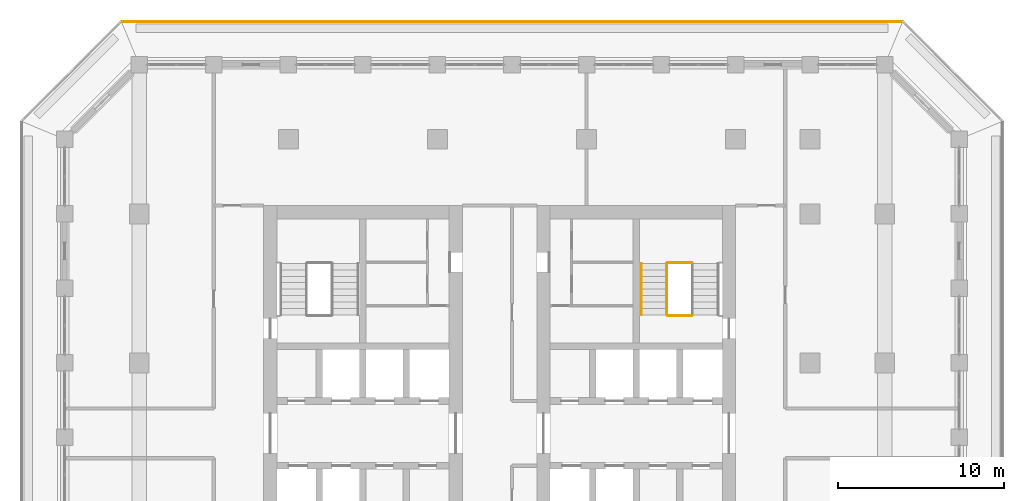
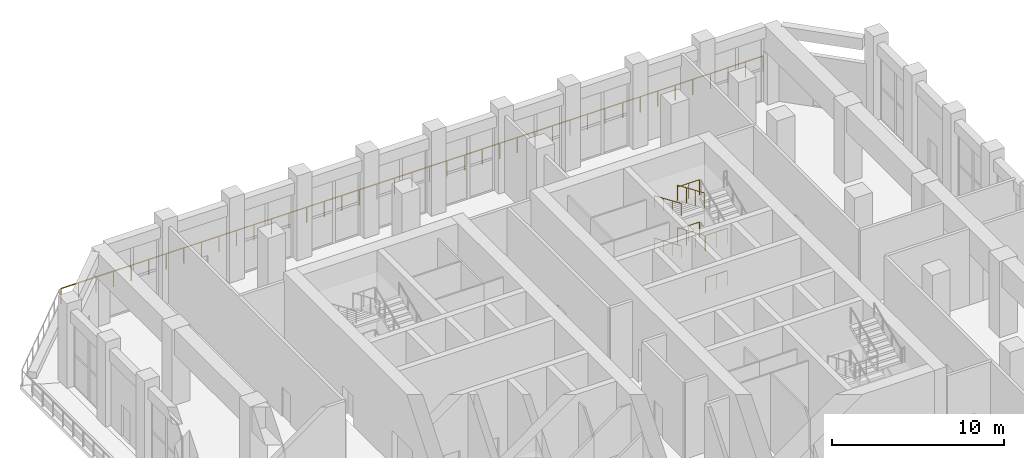
# One storey, part 23 of 25: 9 railings.
"""IFC4 building model written with IfcOpenShell, lengths in metres."""

from ifc_helpers import new_model, si_unit, direction, frame, origin, origin_2d, place, context, subcontext, project, spatial, circle, extrude, material, type_object, element, save


model = new_model("IFC4")

# Units and contexts
model_context = context("Model", 3, precision=1e-05, world=origin(), true_north=direction((0.0, 1.0)))
body_context = subcontext(model_context, "Body", "Model", "MODEL_VIEW")
ifc_project = project(units=[si_unit("LENGTHUNIT", "METRE"), si_unit("AREAUNIT", "SQUARE_METRE"), si_unit("VOLUMEUNIT", "CUBIC_METRE"), si_unit("PLANEANGLEUNIT", "RADIAN"), si_unit("MASSUNIT", "GRAM", prefix="KILO")], contexts=[model_context])

# Site, building, storey
site_placement = place(None, origin())
site = spatial("IfcSite", under=ifc_project, at=site_placement, CompositionType="ELEMENT")
building_placement = place(site_placement, origin())
building = spatial("IfcBuilding", under=site, at=building_placement, Name="Corbel Stack Research Tower", CompositionType="ELEMENT")
storey_placement = place(building_placement, frame((0.0, 0.0, 220.199951171875)))
storey = spatial("IfcBuildingStorey", under=building, at=storey_placement, Name="L50", CompositionType="ELEMENT", Elevation=220.199951171875)

# Railings
ifc_material_1 = material(Name="Steel S355", Category="steel")
railing_type_1 = type_object("IfcRailingType", Name="Stair guard 1100", PredefinedType="GUARDRAIL", material=ifc_material_1)
railing_1_placement = place(storey_placement, frame((15.35009765625, 15.053955078125, 1.5)))
element("IfcRailing", 1, at=railing_1_placement, inside=storey, type_object=railing_type_1, Name="L50 ST-E2 stair guard 2", PredefinedType="GUARDRAIL", context=body_context, shape_type="SweptSolid", body=[
    extrude(circle(Radius=0.02392578125, at=origin_2d()), frame((0.0, 0.0, 1.076171875), z_axis=(-1.0, 0.0, 0.0), x_axis=(0.0, -1.0, 0.0)), (0.0, 0.0, 1.0), 1.4501953125),
    extrude(circle(Radius=0.02099609375, at=origin_2d()), origin(), (0.0, 0.0, 1.0), 1.052001953125),
    extrude(circle(Radius=0.02099609375, at=origin_2d()), frame((-0.72509765625, 0.0, 0.0)), (0.0, 0.0, 1.0), 1.052001953125),
    extrude(circle(Radius=0.02099609375, at=origin_2d()), frame((-1.4501953125, 0.0, 0.0)), (0.0, 0.0, 1.0), 1.052001953125),
])
railing_2_placement = place(storey_placement, frame((13.85009765625, 15.00390625, 1.666748046875)))
element("IfcRailing", 2, at=railing_2_placement, inside=storey, type_object=railing_type_1, Name="L50 ST-E2 stair guard 4", PredefinedType="GUARDRAIL", context=body_context, shape_type="SweptSolid", body=[
    extrude(circle(Radius=0.02392578125, at=origin_2d()), frame((0.0, 0.0, 1.076171875), z_axis=(0.0, -0.918826996994, 0.394660549834), x_axis=(1.0, 0.0, 0.0)), (0.0, 0.0, 1.0), 3.378173828125),
    extrude(circle(Radius=0.02099609375, at=origin_2d()), origin(), (0.0, 0.0, 1.0), 1.052001953125),
    extrude(circle(Radius=0.02099609375, at=origin_2d()), frame((0.0, -1.03466796875, 0.4443359375)), (0.0, 0.0, 1.0), 1.052001953125),
    extrude(circle(Radius=0.02099609375, at=origin_2d()), frame((0.0, -2.0693359375, 0.888916015625)), (0.0, 0.0, 1.0), 1.052001953125),
    extrude(circle(Radius=0.02099609375, at=origin_2d()), frame((0.0, -3.10400390625, 1.333251953125)), (0.0, 0.0, 1.0), 1.052001953125),
])
for number, where, name in (
    (3, (15.35009765625, 11.85009765625, 3.0), "L50 ST-E2 stair guard 5"),
    (4, (15.35009765625, 15.053955078125, 4.5), "L50 ST-E2 stair guard 8"),
):
    element("IfcRailing", number, at=place(storey_placement, frame(where)), inside=storey, type_object=railing_type_1, Name=name, PredefinedType="GUARDRAIL", context=body_context, shape_type="SweptSolid", body=[
        extrude(circle(Radius=0.02392578125, at=origin_2d()), frame((0.0, 0.0, 1.076171875), z_axis=(-1.0, 0.0, 0.0), x_axis=(0.0, -1.0, 0.0)), (0.0, 0.0, 1.0), 1.4501953125),
        extrude(circle(Radius=0.02099609375, at=origin_2d()), origin(), (0.0, 0.0, 1.0), 1.052001953125),
        extrude(circle(Radius=0.02099609375, at=origin_2d()), frame((-0.72509765625, 0.0, 0.0)), (0.0, 0.0, 1.0), 1.052001953125),
        extrude(circle(Radius=0.02099609375, at=origin_2d()), frame((-1.4501953125, 0.0, 0.0)), (0.0, 0.0, 1.0), 1.052001953125),
    ])
railing_3_placement = place(storey_placement, frame((13.85009765625, 15.00390625, 4.666748046875)))
element("IfcRailing", 5, at=railing_3_placement, inside=storey, type_object=railing_type_1, Name="L50 ST-E2 stair guard 10", PredefinedType="GUARDRAIL", context=body_context, shape_type="SweptSolid", body=[
    extrude(circle(Radius=0.02392578125, at=origin_2d()), frame((0.0, 0.0, 1.076171875), z_axis=(0.0, -0.918826996994, 0.394660549834), x_axis=(1.0, 0.0, 0.0)), (0.0, 0.0, 1.0), 3.378173828125),
    extrude(circle(Radius=0.02099609375, at=origin_2d()), origin(), (0.0, 0.0, 1.0), 1.052001953125),
    extrude(circle(Radius=0.02099609375, at=origin_2d()), frame((0.0, -1.03466796875, 0.4443359375)), (0.0, 0.0, 1.0), 1.052001953125),
    extrude(circle(Radius=0.02099609375, at=origin_2d()), frame((0.0, -2.0693359375, 0.888916015625)), (0.0, 0.0, 1.0), 1.052001953125),
    extrude(circle(Radius=0.02099609375, at=origin_2d()), frame((0.0, -3.10400390625, 1.333251953125)), (0.0, 0.0, 1.0), 1.052001953125),
])
railing_4_placement = place(storey_placement, frame((15.35009765625, 11.85009765625, 0.0)))
element("IfcRailing", 6, at=railing_4_placement, inside=storey, type_object=railing_type_1, Name="L50 ST-E2 stair guard 11", PredefinedType="GUARDRAIL", context=body_context, shape_type="SweptSolid", body=[
    extrude(circle(Radius=0.02392578125, at=origin_2d()), frame((0.0, 0.0, 1.076171875), z_axis=(-1.0, 0.0, 0.0), x_axis=(0.0, -1.0, 0.0)), (0.0, 0.0, 1.0), 1.4501953125),
    extrude(circle(Radius=0.02099609375, at=origin_2d()), origin(), (0.0, 0.0, 1.0), 1.052001953125),
    extrude(circle(Radius=0.02099609375, at=origin_2d()), frame((-0.72509765625, 0.0, 0.0)), (0.0, 0.0, 1.0), 1.052001953125),
    extrude(circle(Radius=0.02099609375, at=origin_2d()), frame((-1.4501953125, 0.0, 0.0)), (0.0, 0.0, 1.0), 1.052001953125),
])
ifc_material_2 = material(Name="Steel S355", Category="steel")
railing_type_2 = type_object("IfcRailingType", Name="Stair handrail 900", PredefinedType="HANDRAIL", material=ifc_material_2)
for number, where, name in (
    (7, (12.300048828125, 15.00390625, 1.666748046875), "L50 ST-E2 stair handrail 2"),
    (8, (12.300048828125, 15.00390625, 4.666748046875), "L50 ST-E2 stair handrail 4"),
):
    element("IfcRailing", number, at=place(storey_placement, frame(where)), inside=storey, type_object=railing_type_2, Name=name, PredefinedType="HANDRAIL", context=body_context, shape_type="SweptSolid", body=[
        extrude(circle(Radius=0.02392578125, at=origin_2d()), frame((0.0, 0.0, 0.8759765625), z_axis=(0.0, -0.918826996994, 0.394660549834), x_axis=(1.0, 0.0, 0.0)), (0.0, 0.0, 1.0), 3.378173828125),
        extrude(circle(Radius=0.02099609375, at=origin_2d()), origin(), (0.0, 0.0, 1.0), 0.851806640625),
        extrude(circle(Radius=0.02099609375, at=origin_2d()), frame((0.0, -1.03466796875, 0.4443359375)), (0.0, 0.0, 1.0), 0.851806640625),
        extrude(circle(Radius=0.02099609375, at=origin_2d()), frame((0.0, -2.0693359375, 0.888916015625)), (0.0, 0.0, 1.0), 0.851806640625),
        extrude(circle(Radius=0.02099609375, at=origin_2d()), frame((0.0, -3.10400390625, 1.333251953125)), (0.0, 0.0, 1.0), 0.851806640625),
    ])
ifc_material_3 = material(Name="Powder-coated steel guard", Category="steel")
railing_type_3 = type_object("IfcRailingType", Name="Steel and glass guard 1100", PredefinedType="GUARDRAIL", material=ifc_material_3)
railing_5_placement = place(storey_placement, frame((28.00537109375, 29.60009765625, 0.0)))
element("IfcRailing", 9, at=railing_5_placement, inside=storey, type_object=railing_type_3, Name="Loggia guard L50 N", PredefinedType="GUARDRAIL", context=body_context, shape_type="SweptSolid", body=[
    extrude(circle(Radius=0.02392578125, at=origin_2d()), frame((0.0, 0.0, 1.076171875), z_axis=(-1.0, 0.0, 0.0), x_axis=(0.0, -1.0, 0.0)), (0.0, 0.0, 1.0), 47.0107421875),
    extrude(circle(Radius=0.02099609375, at=origin_2d()), origin(), (0.0, 0.0, 1.0), 1.052001953125),
    extrude(circle(Radius=0.02099609375, at=origin_2d()), frame((-1.17529296875, 0.0, 0.0)), (0.0, 0.0, 1.0), 1.052001953125),
    extrude(circle(Radius=0.02099609375, at=origin_2d()), frame((-2.3505859375, 0.0, 0.0)), (0.0, 0.0, 1.0), 1.052001953125),
    extrude(circle(Radius=0.02099609375, at=origin_2d()), frame((-3.52587890625, 0.0, 0.0)), (0.0, 0.0, 1.0), 1.052001953125),
    extrude(circle(Radius=0.02099609375, at=origin_2d()), frame((-4.701171875, 0.0, 0.0)), (0.0, 0.0, 1.0), 1.052001953125),
    extrude(circle(Radius=0.02099609375, at=origin_2d()), frame((-5.87646484375, 0.0, 0.0)), (0.0, 0.0, 1.0), 1.052001953125),
    extrude(circle(Radius=0.02099609375, at=origin_2d()), frame((-7.051513671875, 0.0, 0.0)), (0.0, 0.0, 1.0), 1.052001953125),
    extrude(circle(Radius=0.02099609375, at=origin_2d()), frame((-8.226806640625, 0.0, 0.0)), (0.0, 0.0, 1.0), 1.052001953125),
    extrude(circle(Radius=0.02099609375, at=origin_2d()), frame((-9.402099609375, 0.0, 0.0)), (0.0, 0.0, 1.0), 1.052001953125),
    extrude(circle(Radius=0.02099609375, at=origin_2d()), frame((-10.577392578125, 0.0, 0.0)), (0.0, 0.0, 1.0), 1.052001953125),
    extrude(circle(Radius=0.02099609375, at=origin_2d()), frame((-11.752685546875, 0.0, 0.0)), (0.0, 0.0, 1.0), 1.052001953125),
    extrude(circle(Radius=0.02099609375, at=origin_2d()), frame((-12.927978515625, 0.0, 0.0)), (0.0, 0.0, 1.0), 1.052001953125),
    extrude(circle(Radius=0.02099609375, at=origin_2d()), frame((-14.103271484375, 0.0, 0.0)), (0.0, 0.0, 1.0), 1.052001953125),
    extrude(circle(Radius=0.02099609375, at=origin_2d()), frame((-15.278564453125, 0.0, 0.0)), (0.0, 0.0, 1.0), 1.052001953125),
    extrude(circle(Radius=0.02099609375, at=origin_2d()), frame((-16.453857421875, 0.0, 0.0)), (0.0, 0.0, 1.0), 1.052001953125),
    extrude(circle(Radius=0.02099609375, at=origin_2d()), frame((-17.62890625, 0.0, 0.0)), (0.0, 0.0, 1.0), 1.052001953125),
    extrude(circle(Radius=0.02099609375, at=origin_2d()), frame((-18.80419921875, 0.0, 0.0)), (0.0, 0.0, 1.0), 1.052001953125),
    extrude(circle(Radius=0.02099609375, at=origin_2d()), frame((-19.9794921875, 0.0, 0.0)), (0.0, 0.0, 1.0), 1.052001953125),
    extrude(circle(Radius=0.02099609375, at=origin_2d()), frame((-21.15478515625, 0.0, 0.0)), (0.0, 0.0, 1.0), 1.052001953125),
    extrude(circle(Radius=0.02099609375, at=origin_2d()), frame((-22.330078125, 0.0, 0.0)), (0.0, 0.0, 1.0), 1.052001953125),
    extrude(circle(Radius=0.02099609375, at=origin_2d()), frame((-23.50537109375, 0.0, 0.0)), (0.0, 0.0, 1.0), 1.052001953125),
    extrude(circle(Radius=0.02099609375, at=origin_2d()), frame((-24.6806640625, 0.0, 0.0)), (0.0, 0.0, 1.0), 1.052001953125),
    extrude(circle(Radius=0.02099609375, at=origin_2d()), frame((-25.85595703125, 0.0, 0.0)), (0.0, 0.0, 1.0), 1.052001953125),
    extrude(circle(Radius=0.02099609375, at=origin_2d()), frame((-27.03125, 0.0, 0.0)), (0.0, 0.0, 1.0), 1.052001953125),
    extrude(circle(Radius=0.02099609375, at=origin_2d()), frame((-28.20654296875, 0.0, 0.0)), (0.0, 0.0, 1.0), 1.052001953125),
    extrude(circle(Radius=0.02099609375, at=origin_2d()), frame((-29.3818359375, 0.0, 0.0)), (0.0, 0.0, 1.0), 1.052001953125),
    extrude(circle(Radius=0.02099609375, at=origin_2d()), frame((-30.556884765625, 0.0, 0.0)), (0.0, 0.0, 1.0), 1.052001953125),
    extrude(circle(Radius=0.02099609375, at=origin_2d()), frame((-31.732177734375, 0.0, 0.0)), (0.0, 0.0, 1.0), 1.052001953125),
    extrude(circle(Radius=0.02099609375, at=origin_2d()), frame((-32.907470703125, 0.0, 0.0)), (0.0, 0.0, 1.0), 1.052001953125),
    extrude(circle(Radius=0.02099609375, at=origin_2d()), frame((-34.082763671875, 0.0, 0.0)), (0.0, 0.0, 1.0), 1.052001953125),
    extrude(circle(Radius=0.02099609375, at=origin_2d()), frame((-35.258056640625, 0.0, 0.0)), (0.0, 0.0, 1.0), 1.052001953125),
    extrude(circle(Radius=0.02099609375, at=origin_2d()), frame((-36.433349609375, 0.0, 0.0)), (0.0, 0.0, 1.0), 1.052001953125),
    extrude(circle(Radius=0.02099609375, at=origin_2d()), frame((-37.608642578125, 0.0, 0.0)), (0.0, 0.0, 1.0), 1.052001953125),
    extrude(circle(Radius=0.02099609375, at=origin_2d()), frame((-38.783935546875, 0.0, 0.0)), (0.0, 0.0, 1.0), 1.052001953125),
    extrude(circle(Radius=0.02099609375, at=origin_2d()), frame((-39.959228515625, 0.0, 0.0)), (0.0, 0.0, 1.0), 1.052001953125),
    extrude(circle(Radius=0.02099609375, at=origin_2d()), frame((-41.13427734375, 0.0, 0.0)), (0.0, 0.0, 1.0), 1.052001953125),
    extrude(circle(Radius=0.02099609375, at=origin_2d()), frame((-42.3095703125, 0.0, 0.0)), (0.0, 0.0, 1.0), 1.052001953125),
    extrude(circle(Radius=0.02099609375, at=origin_2d()), frame((-43.48486328125, 0.0, 0.0)), (0.0, 0.0, 1.0), 1.052001953125),
    extrude(circle(Radius=0.02099609375, at=origin_2d()), frame((-44.66015625, 0.0, 0.0)), (0.0, 0.0, 1.0), 1.052001953125),
    extrude(circle(Radius=0.02099609375, at=origin_2d()), frame((-45.83544921875, 0.0, 0.0)), (0.0, 0.0, 1.0), 1.052001953125),
    extrude(circle(Radius=0.02099609375, at=origin_2d()), frame((-47.0107421875, 0.0, 0.0)), (0.0, 0.0, 1.0), 1.052001953125),
])

save(model, "model.ifc")
